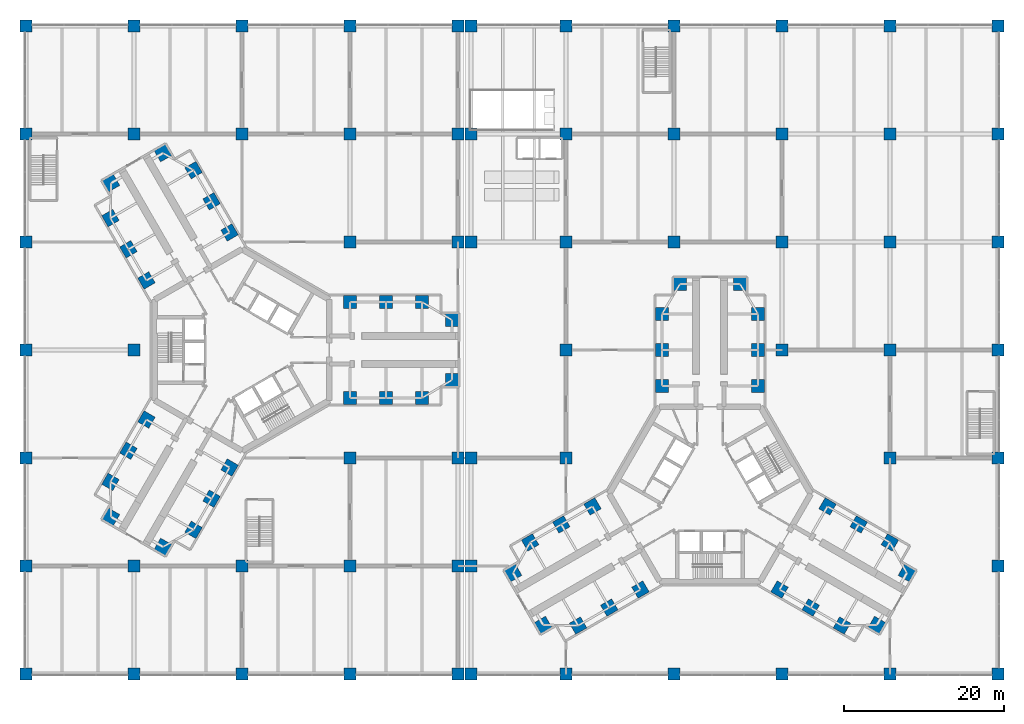
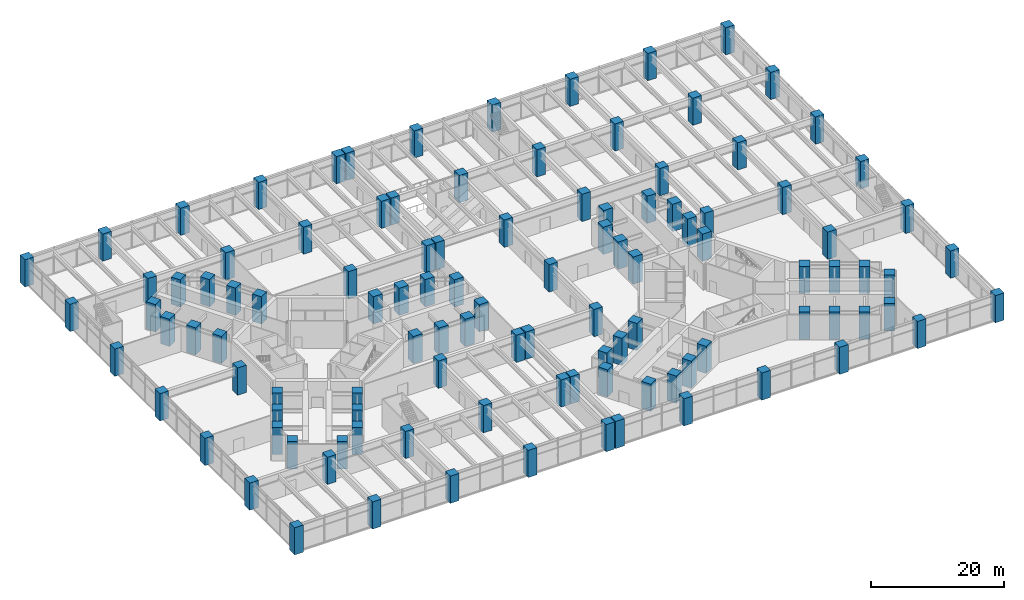
# One storey, part 1 of 32: 110 columns.
"""IFC4 building model written with IfcOpenShell, lengths in metres."""

from ifc_helpers import new_model, si_unit, direction, frame, origin, origin_2d, place, context, subcontext, project, spatial, rectangle, extrude, material, material_profile, profile_set, type_object, element, save


model = new_model("IFC4")

# Units and contexts
model_context = context("Model", 3, precision=1e-05, world=origin(), true_north=direction((0.0, 1.0)))
body_context = subcontext(model_context, "Body", "Model", "MODEL_VIEW")
ifc_project = project(units=[si_unit("LENGTHUNIT", "METRE"), si_unit("AREAUNIT", "SQUARE_METRE"), si_unit("VOLUMEUNIT", "CUBIC_METRE"), si_unit("PLANEANGLEUNIT", "RADIAN"), si_unit("MASSUNIT", "GRAM", prefix="KILO")], contexts=[model_context])

# Site, building, storey
site_placement = place(None, origin())
site = spatial("IfcSite", under=ifc_project, at=site_placement, CompositionType="ELEMENT")
building_placement = place(site_placement, origin())
building = spatial("IfcBuilding", under=site, at=building_placement, Name="Upepo Twin Towers", CompositionType="ELEMENT")
storey_placement = place(building_placement, frame((0.0, 0.0, 10.5)))
storey = spatial("IfcBuildingStorey", under=building, at=storey_placement, Name="L02", CompositionType="ELEMENT", Elevation=10.5)

# Columns
ifc_material_1 = material(Name="Concrete C60/75", Category="concrete")
ifc_material_profile_1 = material_profile(ifc_material_1, rectangle(XDim=1.5, YDim=1.5, at=origin_2d()), Name="RC 1500x1500")
ifc_profile_set_1 = profile_set([ifc_material_profile_1], Name="Concrete C60/75")
column_type_1 = type_object("IfcColumnType", Name="Podium column RC 1500x1500", PredefinedType="COLUMN", material=ifc_profile_set_1)
for number, where, z_axis, x_axis, name in (
    (1, (-27.0, -40.5, 0.0), (0.0, 0.0, 1.0), (1.0, 0.0, 0.0), "Podium column A/1"),
    (2, (-13.5, -40.5, 0.0), (0.0, 0.0, 1.0), (1.0, 0.0, 0.0), "Podium column A/2"),
    (3, (0.0, -40.5, 0.0), (0.0, 0.0, 1.0), (1.0, 0.0, 0.0), "Podium column A/3"),
    (4, (13.5, -40.5, 0.0), (0.0, 0.0, 1.0), (1.0, 0.0, 0.0), "Podium column A/4"),
    (5, (27.0, -40.5, 0.0), (0.0, 0.0, 1.0), (1.0, 0.0, 0.0), "Podium column A/5"),
    (6, (28.64990234375, -40.5, 0.0), (0.0, 0.0, 1.0), (1.0, 0.0, 0.0), "Podium column A/5a"),
    (7, (40.5, -40.5, 0.0), (0.0, 0.0, 1.0), (1.0, 0.0, 0.0), "Podium column A/6"),
    (8, (54.0, -40.5, 0.0), (0.0, 0.0, 1.0), (1.0, 0.0, 0.0), "Podium column A/7"),
    (9, (67.5, -40.5, 0.0), (0.0, 0.0, 1.0), (1.0, 0.0, 0.0), "Podium column A/8"),
    (10, (81.0, -40.5, 0.0), (0.0, 0.0, 1.0), (1.0, 0.0, 0.0), "Podium column A/9"),
    (11, (94.5, -40.5, 0.0), (0.0, 0.0, 1.0), (1.0, 0.0, 0.0), "Podium column A/10"),
    (12, (-27.0, -27.0, 0.0), (0.0, 0.0, 1.0), (1.0, 0.0, 0.0), "Podium column B/1"),
    (13, (-13.5, -27.0, 0.0), (0.0, 0.0, 1.0), (1.0, 0.0, 0.0), "Podium column B/2"),
    (14, (0.0, -27.0, 0.0), (0.0, 0.0, 1.0), (1.0, 0.0, 0.0), "Podium column B/3"),
    (15, (13.5, -27.0, 0.0), (0.0, 0.0, 1.0), (1.0, 0.0, 0.0), "Podium column B/4"),
    (16, (27.0, -27.0, 0.0), (0.0, 0.0, 1.0), (1.0, 0.0, 0.0), "Podium column B/5"),
    (17, (28.64990234375, -27.0, 0.0), (0.0, 0.0, 1.0), (1.0, 0.0, 0.0), "Podium column B/5a"),
    (18, (94.5, -27.0, 0.0), (0.0, 0.0, 1.0), (1.0, 0.0, 0.0), "Podium column B/10"),
    (19, (-27.0, -13.5, 0.0), (0.0, 0.0, 1.0), (1.0, 0.0, 0.0), "Podium column C/1"),
    (20, (13.5, -13.5, 0.0), (0.0, 0.0, 1.0), (1.0, 0.0, 0.0), "Podium column C/4"),
    (21, (27.0, -13.5, 0.0), (0.0, 0.0, 1.0), (1.0, 0.0, 0.0), "Podium column C/5"),
    (22, (28.64990234375, -13.5, 0.0), (0.0, 0.0, 1.0), (1.0, 0.0, 0.0), "Podium column C/5a"),
    (23, (40.5, -13.5, 0.0), (0.0, 0.0, 1.0), (1.0, 0.0, 0.0), "Podium column C/6"),
    (24, (81.0, -13.5, 0.0), (0.0, 0.0, 1.0), (1.0, 0.0, 0.0), "Podium column C/9"),
    (25, (94.5, -13.5, 0.0), (0.0, 0.0, 1.0), (1.0, 0.0, 0.0), "Podium column C/10"),
    (26, (-27.0, 0.0, 0.0), (0.0, 0.0, 1.0), (1.0, 0.0, 0.0), "Podium column D/1"),
    (27, (-13.5, 0.0, 0.0), (0.0, 0.0, 1.0), (1.0, 0.0, 0.0), "Podium column D/2"),
    (28, (40.5, 0.0, 0.0), (0.0, 0.0, 1.0), (1.0, 0.0, 0.0), "Podium column D/6"),
    (29, (67.5, 0.0, 0.0), (0.0, 0.0, 1.0), (1.0, 0.0, 0.0), "Podium column D/8"),
    (30, (81.0, 0.0, 0.0), (0.0, 0.0, 1.0), (1.0, 0.0, 0.0), "Podium column D/9"),
    (31, (94.5, 0.0, 0.0), (0.0, 0.0, 1.0), (1.0, 0.0, 0.0), "Podium column D/10"),
    (32, (-27.0, 13.5, 0.0), (0.0, 0.0, 1.0), (1.0, 0.0, 0.0), "Podium column E/1"),
    (33, (13.5, 13.5, 0.0), (0.0, 0.0, 1.0), (1.0, 0.0, 0.0), "Podium column E/4"),
    (34, (27.0, 13.5, 0.0), (0.0, 0.0, 1.0), (1.0, 0.0, 0.0), "Podium column E/5"),
    (35, (28.64990234375, 13.5, 0.0), (0.0, 0.0, 1.0), (1.0, 0.0, 0.0), "Podium column E/5a"),
    (36, (40.5, 13.5, 0.0), (0.0, 0.0, 1.0), (1.0, 0.0, 0.0), "Podium column E/6"),
    (37, (54.0, 13.5, 0.0), (0.0, 0.0, 1.0), (1.0, 0.0, 0.0), "Podium column E/7"),
    (38, (67.5, 13.5, 0.0), (0.0, 0.0, 1.0), (1.0, 0.0, 0.0), "Podium column E/8"),
    (39, (81.0, 13.5, 0.0), (0.0, 0.0, 1.0), (1.0, 0.0, 0.0), "Podium column E/9"),
    (40, (94.5, 13.5, 0.0), (0.0, 0.0, 1.0), (1.0, 0.0, 0.0), "Podium column E/10"),
    (41, (-27.0, 27.0, 0.0), (0.0, 0.0, 1.0), (1.0, 0.0, 0.0), "Podium column F/1"),
    (42, (-13.5, 27.0, 0.0), (0.0, 0.0, 1.0), (1.0, 0.0, 0.0), "Podium column F/2"),
    (43, (0.0, 27.0, 0.0), (0.0, 0.0, 1.0), (1.0, 0.0, 0.0), "Podium column F/3"),
    (44, (13.5, 27.0, 0.0), (0.0, 0.0, 1.0), (1.0, 0.0, 0.0), "Podium column F/4"),
    (45, (27.0, 27.0, 0.0), (0.0, 0.0, 1.0), (1.0, 0.0, 0.0), "Podium column F/5"),
    (46, (28.64990234375, 27.0, 0.0), (0.0, 0.0, 1.0), (1.0, 0.0, 0.0), "Podium column F/5a"),
    (47, (40.5, 27.0, 0.0), (0.0, 0.0, 1.0), (1.0, 0.0, 0.0), "Podium column F/6"),
    (48, (54.0, 27.0, 0.0), (0.0, 0.0, 1.0), (1.0, 0.0, 0.0), "Podium column F/7"),
    (49, (67.5, 27.0, 0.0), (0.0, 0.0, 1.0), (1.0, 0.0, 0.0), "Podium column F/8"),
    (50, (81.0, 27.0, 0.0), (0.0, 0.0, 1.0), (1.0, 0.0, 0.0), "Podium column F/9"),
    (51, (94.5, 27.0, 0.0), (0.0, 0.0, 1.0), (1.0, 0.0, 0.0), "Podium column F/10"),
    (52, (-27.0, 40.5, 0.0), (0.0, 0.0, 1.0), (1.0, 0.0, 0.0), "Podium column G/1"),
    (53, (-13.5, 40.5, 0.0), (0.0, 0.0, 1.0), (1.0, 0.0, 0.0), "Podium column G/2"),
    (54, (0.0, 40.5, 0.0), (0.0, 0.0, 1.0), (1.0, 0.0, 0.0), "Podium column G/3"),
    (55, (13.5, 40.5, 0.0), (0.0, 0.0, 1.0), (1.0, 0.0, 0.0), "Podium column G/4"),
    (56, (27.0, 40.5, 0.0), (0.0, 0.0, 1.0), (1.0, 0.0, 0.0), "Podium column G/5"),
    (57, (28.64990234375, 40.5, 0.0), (0.0, 0.0, 1.0), (1.0, 0.0, 0.0), "Podium column G/5a"),
    (58, (40.5, 40.5, 0.0), (0.0, 0.0, 1.0), (1.0, 0.0, 0.0), "Podium column G/6"),
    (59, (54.0, 40.5, 0.0), (0.0, 0.0, 1.0), (1.0, 0.0, 0.0), "Podium column G/7"),
    (60, (67.5, 40.5, 0.0), (0.0, 0.0, 1.0), (1.0, 0.0, 0.0), "Podium column G/8"),
    (61, (81.0, 40.5, 0.0), (0.0, 0.0, 1.0), (1.0, 0.0, 0.0), "Podium column G/9"),
    (62, (94.5, 40.5, 0.0), (0.0, 0.0, 1.0), (1.0, 0.0, 0.0), "Podium column G/10"),
):
    element("IfcColumn", number, at=place(storey_placement, frame(where, z_axis=z_axis, x_axis=x_axis)), inside=storey, type_object=column_type_1, Name=name, PredefinedType="COLUMN", context=body_context, shape_type="SweptSolid", body=[
        extrude(rectangle(XDim=1.5, YDim=1.5, at=origin_2d()), origin(), (0.0, 0.0, 1.0), 5.0),
    ])
ifc_material_2 = material(Name="Concrete C60/75", Category="concrete")
ifc_material_profile_2 = material_profile(ifc_material_2, rectangle(XDim=1.60009765625, YDim=1.60009765625, at=origin_2d()), Name="RC 1600x1600")
ifc_profile_set_2 = profile_set([ifc_material_profile_2], Name="Concrete C60/75")
column_type_2 = type_object("IfcColumnType", Name="Tower column RC 1600x1600", PredefinedType="COLUMN", material=ifc_profile_set_2)
for number, where, z_axis, x_axis, name in (
    (63, (13.5, 6.0, 0.0), (0.0, 0.0, 1.0), (1.0, 0.0, 0.0), "T1 column AL135"),
    (64, (13.5, -6.0, 0.0), (0.0, 0.0, 1.0), (1.0, 0.0, 0.0), "T1 column AR135"),
    (65, (18.0, 6.0, 0.0), (0.0, 0.0, 1.0), (1.0, 0.0, 0.0), "T1 column AL180"),
    (66, (18.0, -6.0, 0.0), (0.0, 0.0, 1.0), (1.0, 0.0, 0.0), "T1 column AR180"),
    (67, (22.5, 6.0, 0.0), (0.0, 0.0, 1.0), (1.0, 0.0, 0.0), "T1 column AL225"),
    (68, (22.5, -6.0, 0.0), (0.0, 0.0, 1.0), (1.0, 0.0, 0.0), "T1 column AR225"),
    (69, (26.25, 3.75, 0.0), (0.0, 0.0, 1.0), (1.0, 0.0, 0.0), "T1 column ALN"),
    (70, (26.25, -3.75, 0.0), (0.0, 0.0, 1.0), (1.0, 0.0, 0.0), "T1 column ARN"),
    (71, (-11.946044921875, 8.69140625, 0.0), (0.0, 0.0, 1.0), (0.866025403784, 0.5, 0.0), "T1 column BL135"),
    (72, (-1.553955078125, 14.69140625, 0.0), (0.0, 0.0, 1.0), (0.866025403784, 0.5, 0.0), "T1 column BR135"),
    (73, (-14.196044921875, 12.58837890625, 0.0), (0.0, 0.0, 1.0), (0.866025403784, 0.5, 0.0), "T1 column BL180"),
    (74, (-3.803955078125, 18.58837890625, 0.0), (0.0, 0.0, 1.0), (0.866025403784, 0.5, 0.0), "T1 column BR180"),
    (75, (-16.446044921875, 16.485595703125, 0.0), (0.0, 0.0, 1.0), (0.866025403784, 0.5, 0.0), "T1 column BL225"),
    (76, (-6.053955078125, 22.485595703125, 0.0), (0.0, 0.0, 1.0), (0.866025403784, 0.5, 0.0), "T1 column BR225"),
    (77, (-16.37255859375, 20.858154296875, 0.0), (0.0, 0.0, 1.0), (0.866025403784, 0.5, 0.0), "T1 column BLN"),
    (78, (-9.87744140625, 24.608154296875, 0.0), (0.0, 0.0, 1.0), (0.866025403784, 0.5, 0.0), "T1 column BRN"),
    (79, (-1.553955078125, -14.69140625, 0.0), (0.0, 0.0, 1.0), (0.5, 0.866025403784, 0.0), "T1 column CL135"),
    (80, (-11.946044921875, -8.69140625, 0.0), (0.0, 0.0, 1.0), (0.5, 0.866025403784, 0.0), "T1 column CR135"),
    (81, (-3.803955078125, -18.58837890625, 0.0), (0.0, 0.0, 1.0), (0.5, 0.866025403784, 0.0), "T1 column CL180"),
    (82, (-14.196044921875, -12.58837890625, 0.0), (0.0, 0.0, 1.0), (0.5, 0.866025403784, 0.0), "T1 column CR180"),
    (83, (-6.053955078125, -22.485595703125, 0.0), (0.0, 0.0, 1.0), (0.5, 0.866025403784, 0.0), "T1 column CL225"),
    (84, (-16.446044921875, -16.485595703125, 0.0), (0.0, 0.0, 1.0), (0.5, 0.866025403784, 0.0), "T1 column CR225"),
    (85, (-9.87744140625, -24.608154296875, 0.0), (0.0, 0.0, 1.0), (0.5, 0.866025403784, 0.0), "T1 column CLN"),
    (86, (-16.37255859375, -20.858154296875, 0.0), (0.0, 0.0, 1.0), (0.5, 0.866025403784, 0.0), "T1 column CRN"),
    (87, (52.5, -4.5, 0.0), (0.0, 0.0, 1.0), (1.0, 0.0, 0.0), "T2 column AL135"),
    (88, (64.5, -4.5, 0.0), (0.0, 0.0, 1.0), (1.0, 0.0, 0.0), "T2 column AR135"),
    (89, (52.5, 0.0, 0.0), (0.0, 0.0, 1.0), (1.0, 0.0, 0.0), "T2 column AL180"),
    (90, (64.5, 0.0, 0.0), (0.0, 0.0, 1.0), (1.0, 0.0, 0.0), "T2 column AR180"),
    (91, (52.5, 4.5, 0.0), (0.0, 0.0, 1.0), (1.0, 0.0, 0.0), "T2 column AL225"),
    (92, (64.5, 4.5, 0.0), (0.0, 0.0, 1.0), (1.0, 0.0, 0.0), "T2 column AR225"),
    (93, (54.75, 8.25, 0.0), (0.0, 0.0, 1.0), (1.0, 0.0, 0.0), "T2 column ALN"),
    (94, (62.25, 8.25, 0.0), (0.0, 0.0, 1.0), (1.0, 0.0, 0.0), "T2 column ARN"),
    (95, (49.80859375, -29.946044921875, 0.0), (0.0, 0.0, 1.0), (0.866025403784, 0.5, 0.0), "T2 column BL135"),
    (96, (43.80859375, -19.553955078125, 0.0), (0.0, 0.0, 1.0), (0.866025403784, 0.5, 0.0), "T2 column BR135"),
    (97, (45.91162109375, -32.196044921875, 0.0), (0.0, 0.0, 1.0), (0.866025403784, 0.5, 0.0), "T2 column BL180"),
    (98, (39.91162109375, -21.803955078125, 0.0), (0.0, 0.0, 1.0), (0.866025403784, 0.5, 0.0), "T2 column BR180"),
    (99, (42.014404296875, -34.446044921875, 0.0), (0.0, 0.0, 1.0), (0.866025403784, 0.5, 0.0), "T2 column BL225"),
    (100, (36.014404296875, -24.053955078125, 0.0), (0.0, 0.0, 1.0), (0.866025403784, 0.5, 0.0), "T2 column BR225"),
    (101, (37.641845703125, -34.37255859375, 0.0), (0.0, 0.0, 1.0), (0.866025403784, 0.5, 0.0), "T2 column BLN"),
    (102, (33.891845703125, -27.87744140625, 0.0), (0.0, 0.0, 1.0), (0.866025403784, 0.5, 0.0), "T2 column BRN"),
    (103, (73.19140625, -19.553955078125, 0.0), (0.0, 0.0, 1.0), (0.5, 0.866025403784, 0.0), "T2 column CL135"),
    (104, (67.19140625, -29.946044921875, 0.0), (0.0, 0.0, 1.0), (0.5, 0.866025403784, 0.0), "T2 column CR135"),
    (105, (77.08837890625, -21.803955078125, 0.0), (0.0, 0.0, 1.0), (0.5, 0.866025403784, 0.0), "T2 column CL180"),
    (106, (71.08837890625, -32.196044921875, 0.0), (0.0, 0.0, 1.0), (0.5, 0.866025403784, 0.0), "T2 column CR180"),
    (107, (80.985595703125, -24.053955078125, 0.0), (0.0, 0.0, 1.0), (0.5, 0.866025403784, 0.0), "T2 column CL225"),
    (108, (74.985595703125, -34.446044921875, 0.0), (0.0, 0.0, 1.0), (0.5, 0.866025403784, 0.0), "T2 column CR225"),
    (109, (83.108154296875, -27.87744140625, 0.0), (0.0, 0.0, 1.0), (0.5, 0.866025403784, 0.0), "T2 column CLN"),
    (110, (79.358154296875, -34.37255859375, 0.0), (0.0, 0.0, 1.0), (0.5, 0.866025403784, 0.0), "T2 column CRN"),
):
    element("IfcColumn", number, at=place(storey_placement, frame(where, z_axis=z_axis, x_axis=x_axis)), inside=storey, type_object=column_type_2, Name=name, PredefinedType="COLUMN", context=body_context, shape_type="SweptSolid", body=[
        extrude(rectangle(XDim=1.60009765625, YDim=1.60009765625, at=origin_2d()), origin(), (0.0, 0.0, 1.0), 5.0),
    ])

save(model, "model.ifc")
